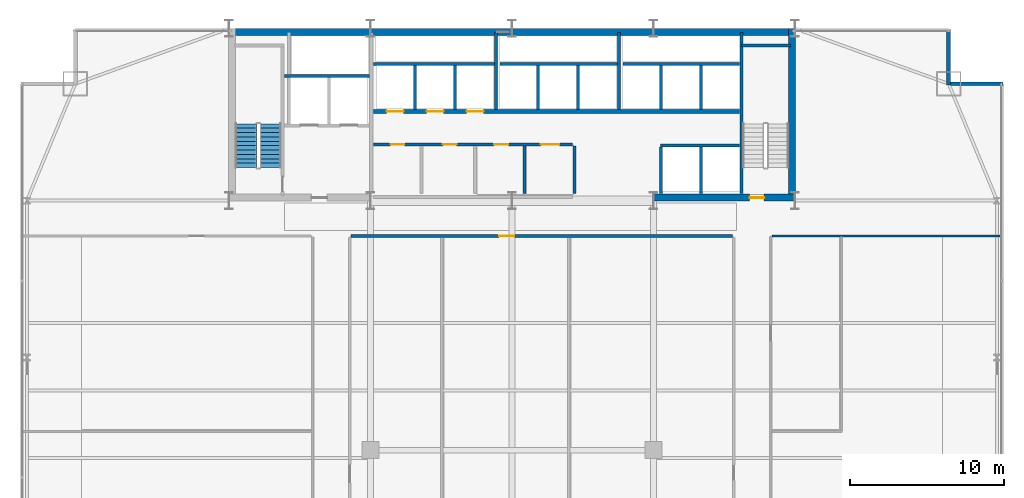
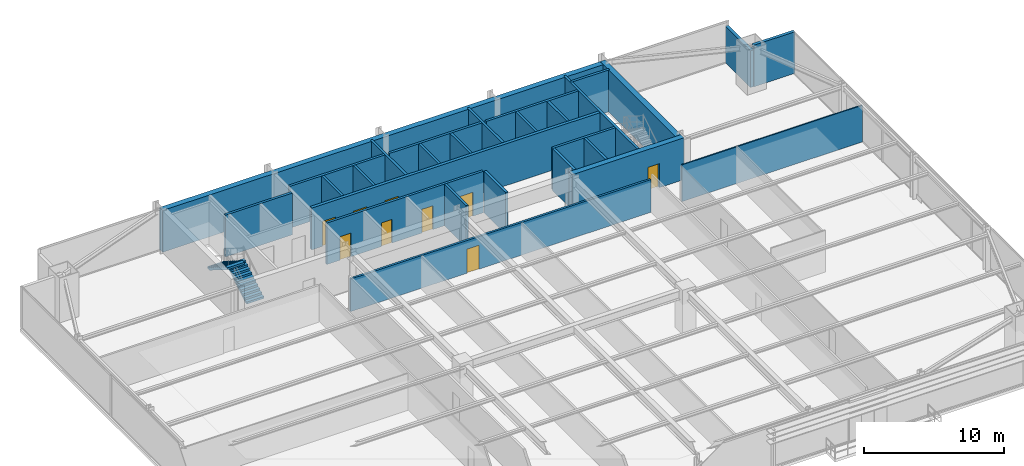
# One storey, part 28 of 31: 28 walls, 9 doors, 2 stair flights, 9 openings, 1 element without a shape of its own.
"""IFC4 building model written with IfcOpenShell, lengths in metres."""

from ifc_helpers import new_model, si_unit, direction, frame, frame_2d, origin, place, context, subcontext, project, spatial, polyline, rectangle, outline, extrude, source, transform, mapped, material, layer, layer_set, type_object, type_shapes, element, fill, aggregate, save


model = new_model("IFC4")

# Units and contexts
model_context = context("Model", 3, precision=1e-05, world=origin(), true_north=direction((0.0, 1.0)))
body_context = subcontext(model_context, "Body", "Model", "MODEL_VIEW")
ifc_project = project(units=[si_unit("LENGTHUNIT", "METRE"), si_unit("AREAUNIT", "SQUARE_METRE"), si_unit("VOLUMEUNIT", "CUBIC_METRE"), si_unit("PLANEANGLEUNIT", "RADIAN"), si_unit("MASSUNIT", "GRAM", prefix="KILO")], contexts=[model_context])

# Site, building, storey
site_placement = place(None, origin())
site = spatial("IfcSite", under=ifc_project, at=site_placement, CompositionType="ELEMENT")
building_placement = place(site_placement, origin())
building = spatial("IfcBuilding", under=site, at=building_placement, Name="Varnel Quay Broadcast Tower", CompositionType="ELEMENT")
storey_placement = place(building_placement, frame((0.0, 0.0, 35.39990234375)))
storey = spatial("IfcBuildingStorey", under=building, at=storey_placement, Name="L07", CompositionType="ELEMENT", Elevation=35.39990234375)

# Walls
ifc_material_1 = material(Name="Concrete CSA A23.3 C50/60", Category="concrete")
ifc_layer_1 = layer(ifc_material_1, 0.199951171875, Name="Concrete CSA A23.3 C50/60")
ifc_layer_set_1 = layer_set([ifc_layer_1], Name="Concrete CSA A23.3 C50/60")
wall_type_1 = type_object("IfcWallType", Name="Wall_CoreShaftShear200", PredefinedType="SHEAR", material=ifc_layer_set_1)
wall_1_placement = place(storey_placement, frame((19.199951171875, 43.699951171875, 0.0), z_axis=(0.0, 0.0, 1.0), x_axis=(1.0, 0.0, 0.0)))
element("IfcWall", 1, at=wall_1_placement, inside=storey, type_object=wall_type_1, Name="L07 Firefighter Lift Shaft Rear Wall", PredefinedType="SHEAR", context=body_context, shape_type="SweptSolid", body=[
    extrude(rectangle(XDim=5.52001953125, YDim=0.199951171875, at=frame_2d((2.760009765625, 0.0))), origin(), (0.0, 0.0, 1.0), 3.650146484375),
])
wall_2_placement = place(storey_placement, frame((48.919921875, 36.050048828125, 0.0), z_axis=(0.0, 0.0, 1.0), x_axis=(0.0, 1.0, 0.0)))
element("IfcWall", 2, at=wall_2_placement, inside=storey, type_object=wall_type_1, Name="L07 Stair 2 West Structural Wall", PredefinedType="SHEAR", context=body_context, shape_type="SweptSolid", body=[
    extrude(rectangle(XDim=10.5, YDim=0.199951171875, at=frame_2d((5.25, 0.0))), origin(), (0.0, 0.0, 1.0), 3.650146484375),
])
wall_3_placement = place(storey_placement, frame((48.919921875, 45.679931640625, 0.0), z_axis=(0.0, 0.0, 1.0), x_axis=(1.0, 0.0, 0.0)))
element("IfcWall", 3, at=wall_3_placement, inside=storey, type_object=wall_type_1, Name="L07 Stair 2 North Structural Wall", PredefinedType="SHEAR", context=body_context, shape_type="SweptSolid", body=[
    extrude(rectangle(XDim=3.18017578125, YDim=0.199951171875, at=frame_2d((1.590087890625, 0.0))), origin(), (0.0, 0.0, 1.0), 3.650146484375),
])
wall_4_placement = place(storey_placement, frame((24.97998046875, 44.5, 0.0), z_axis=(0.0, 0.0, 1.0), x_axis=(1.0, 0.0, 0.0)))
element("IfcWall", 4, at=wall_4_placement, inside=storey, type_object=wall_type_1, Name="L07 Low-Rise Lift Shaft Rear Wall", PredefinedType="SHEAR", context=body_context, shape_type="SweptSolid", body=[
    extrude(rectangle(XDim=7.8701171875, YDim=0.199951171875, at=frame_2d((3.93505859375, 0.0))), origin(), (0.0, 0.0, 1.0), 3.650146484375),
])
for number, where, z_axis, x_axis, name in (
    (5, (27.699951171875, 41.530029296875, 0.0), (0.0, 0.0, 1.0), (0.0, 1.0, 0.0), "L07 Low-Rise Lift Shaft Divider 1"),
    (6, (30.300048828125, 41.530029296875, 0.0), (0.0, 0.0, 1.0), (0.0, 1.0, 0.0), "L07 Low-Rise Lift Shaft Divider 2"),
):
    element("IfcWall", number, at=place(storey_placement, frame(where, z_axis=z_axis, x_axis=x_axis)), inside=storey, type_object=wall_type_1, Name=name, PredefinedType="SHEAR", context=body_context, shape_type="SweptSolid", body=[
        extrude(rectangle(XDim=2.869873046875, YDim=0.199951171875, at=frame_2d((1.43505859375, 0.0))), origin(), (0.0, 0.0, 1.0), 3.650146484375),
    ])
wall_5_placement = place(storey_placement, frame((32.949951171875, 41.530029296875, 0.0), z_axis=(0.0, 0.0, 1.0), x_axis=(0.0, 1.0, 0.0)))
element("IfcWall", 7, at=wall_5_placement, inside=storey, type_object=wall_type_1, Name="L07 Low-Rise Lift Shaft Divider 3", PredefinedType="SHEAR", context=body_context, shape_type="SweptSolid", body=[
    extrude(rectangle(XDim=5.02001953125, YDim=0.199951171875, at=frame_2d((2.510009765625, 0.0))), origin(), (0.0, 0.0, 1.0), 3.650146484375),
])
wall_6_placement = place(storey_placement, frame((33.219970703125, 44.5, 0.0), z_axis=(0.0, 0.0, 1.0), x_axis=(1.0, 0.0, 0.0)))
element("IfcWall", 8, at=wall_6_placement, inside=storey, type_object=wall_type_1, Name="L07 Mid-Rise Lift Shaft Rear Wall", PredefinedType="SHEAR", context=body_context, shape_type="SweptSolid", body=[
    extrude(rectangle(XDim=7.630126953125, YDim=0.199951171875, at=frame_2d((3.81494140625, 0.0))), origin(), (0.0, 0.0, 1.0), 3.650146484375),
])
for number, where, z_axis, x_axis, name in (
    (9, (35.699951171875, 41.530029296875, 0.0), (0.0, 0.0, 1.0), (0.0, 1.0, 0.0), "L07 Mid-Rise Lift Shaft Divider 2"),
    (10, (38.300048828125, 41.530029296875, 0.0), (0.0, 0.0, 1.0), (0.0, 1.0, 0.0), "L07 Mid-Rise Lift Shaft Divider 3"),
):
    element("IfcWall", number, at=place(storey_placement, frame(where, z_axis=z_axis, x_axis=x_axis)), inside=storey, type_object=wall_type_1, Name=name, PredefinedType="SHEAR", context=body_context, shape_type="SweptSolid", body=[
        extrude(rectangle(XDim=2.869873046875, YDim=0.199951171875, at=frame_2d((1.43505859375, 0.0))), origin(), (0.0, 0.0, 1.0), 3.650146484375),
    ])
wall_7_placement = place(storey_placement, frame((40.949951171875, 41.530029296875, 0.0), z_axis=(0.0, 0.0, 1.0), x_axis=(0.0, 1.0, 0.0)))
element("IfcWall", 11, at=wall_7_placement, inside=storey, type_object=wall_type_1, Name="L07 Mid-Rise Lift Shaft Divider 4", PredefinedType="SHEAR", context=body_context, shape_type="SweptSolid", body=[
    extrude(rectangle(XDim=5.02001953125, YDim=0.199951171875, at=frame_2d((2.510009765625, 0.0))), origin(), (0.0, 0.0, 1.0), 3.650146484375),
])
wall_8_placement = place(storey_placement, frame((41.219970703125, 44.5, 0.0), z_axis=(0.0, 0.0, 1.0), x_axis=(1.0, 0.0, 0.0)))
element("IfcWall", 12, at=wall_8_placement, inside=storey, type_object=wall_type_1, Name="L07 High-Rise Lift Shaft Rear Wall", PredefinedType="SHEAR", context=body_context, shape_type="SweptSolid", body=[
    extrude(rectangle(XDim=7.580078125, YDim=0.199951171875, at=frame_2d((3.7900390625, 0.0))), origin(), (0.0, 0.0, 1.0), 3.650146484375),
])
for number, where, z_axis, x_axis, name in (
    (13, (43.699951171875, 41.530029296875, 0.0), (0.0, 0.0, 1.0), (0.0, 1.0, 0.0), "L07 High-Rise Lift Shaft Divider 2"),
    (14, (46.300048828125, 41.530029296875, 0.0), (0.0, 0.0, 1.0), (0.0, 1.0, 0.0), "L07 High-Rise Lift Shaft Divider 3"),
):
    element("IfcWall", number, at=place(storey_placement, frame(where, z_axis=z_axis, x_axis=x_axis)), inside=storey, type_object=wall_type_1, Name=name, PredefinedType="SHEAR", context=body_context, shape_type="SweptSolid", body=[
        extrude(rectangle(XDim=2.869873046875, YDim=0.199951171875, at=frame_2d((1.43505859375, 0.0))), origin(), (0.0, 0.0, 1.0), 3.650146484375),
    ])
for number, where, z_axis, x_axis, name in (
    (15, (43.699951171875, 36.050048828125, 0.0), (0.0, 0.0, 1.0), (0.0, 1.0, 0.0), "L07 Express Lift Shaft West Wall"),
    (16, (46.300048828125, 36.050048828125, 0.0), (0.0, 0.0, 1.0), (0.0, 1.0, 0.0), "L07 Express Lift Shaft Divider"),
):
    element("IfcWall", number, at=place(storey_placement, frame(where, z_axis=z_axis, x_axis=x_axis)), inside=storey, type_object=wall_type_1, Name=name, PredefinedType="SHEAR", context=body_context, shape_type="SweptSolid", body=[
        extrude(rectangle(XDim=3.050048828125, YDim=0.199951171875, at=frame_2d((1.52490234375, 0.0))), origin(), (0.0, 0.0, 1.0), 3.650146484375),
    ])
wall_9_placement = place(storey_placement, frame((43.64990234375, 39.199951171875, 0.0), z_axis=(0.0, 0.0, 1.0), x_axis=(1.0, 0.0, 0.0)))
element("IfcWall", 17, at=wall_9_placement, inside=storey, type_object=wall_type_1, Name="L07 Express Lift Shaft North Front Wall", PredefinedType="SHEAR", context=body_context, shape_type="SweptSolid", body=[
    extrude(rectangle(XDim=5.150146484375, YDim=0.199951171875, at=frame_2d((2.5751953125, 0.0))), origin(), (0.0, 0.0, 1.0), 3.650146484375),
])

# Wall, openings, doors
ifc_layer_2 = layer(ifc_material_1, 0.25, Name="Concrete CSA A23.3 C50/60")
ifc_layer_set_2 = layer_set([ifc_layer_2], Name="Concrete CSA A23.3 C50/60")
wall_type_2 = type_object("IfcWallType", Name="Wall_CoreShaftShear250", PredefinedType="SHEAR", material=ifc_layer_set_2)
wall_10_placement = place(storey_placement, frame((24.97998046875, 41.39990234375, 0.0), z_axis=(0.0, 0.0, 1.0), x_axis=(1.0, 0.0, 0.0)))
wall_10 = element("IfcWall", 18, at=wall_10_placement, inside=storey, type_object=wall_type_2, Name="L07 North Lift Bank & Reclaimed Suite Wall", PredefinedType="SHEAR", context=body_context, shape_type="SweptSolid", body=[
    extrude(rectangle(XDim=23.820068359375, YDim=0.25, at=frame_2d((11.91015625, 0.0))), origin(), (0.0, 0.0, 1.0), 3.650146484375),
])
opening_1_placement = place(wall_10_placement, frame((0.8701171875, 0.0, 0.0)))
opening_1 = element("IfcOpeningElement", 19, at=opening_1_placement, cuts=wall_10, Name="Opening LD-L07-PL-01", PredefinedType="OPENING", context=body_context, shape_type="SweptSolid", body=[
    extrude(rectangle(XDim=1.10009765625, YDim=2.179931640625, at=frame_2d((0.550048828125, 1.08984375))), frame((0.0, 0.135009765625, 0.0), z_axis=(0.0, -1.0, 0.0), x_axis=(1.0, 0.0, 0.0)), (0.0, 0.0, 1.0), 0.27001953125),
])
opening_2_placement = place(wall_10_placement, frame((3.469970703125, 0.0, 0.0)))
opening_2 = element("IfcOpeningElement", 20, at=opening_2_placement, cuts=wall_10, Name="Opening LD-L07-PL-02", PredefinedType="OPENING", context=body_context, shape_type="SweptSolid", body=[
    extrude(rectangle(XDim=1.10009765625, YDim=2.179931640625, at=frame_2d((0.550048828125, 1.08984375))), frame((0.0, 0.135009765625, 0.0), z_axis=(0.0, -1.0, 0.0), x_axis=(1.0, 0.0, 0.0)), (0.0, 0.0, 1.0), 0.27001953125),
])
opening_3_placement = place(wall_10_placement, frame((6.070068359375, 0.0, 0.0)))
opening_3 = element("IfcOpeningElement", 21, at=opening_3_placement, cuts=wall_10, Name="Opening LD-L07-PL-03", PredefinedType="OPENING", context=body_context, shape_type="SweptSolid", body=[
    extrude(rectangle(XDim=1.10009765625, YDim=2.179931640625, at=frame_2d((0.550048828125, 1.08984375))), frame((0.0, 0.135009765625, 0.0), z_axis=(0.0, -1.0, 0.0), x_axis=(1.0, 0.0, 0.0)), (0.0, 0.0, 1.0), 0.27001953125),
])
ifc_material_2 = material(Name="Brushed Bronze-Stainless Lift Car & Sliding Doors", Category="steel")
door_type_1 = type_object("IfcDoorType", Name="Door_LiftLanding1100", OperationType="SLIDING_TO_LEFT", PredefinedType="DOOR", material=ifc_material_2)
shared_shape_1 = source(origin(), body_context, "Body", "SweptSolid", [
    extrude(rectangle(XDim=1.10009765625, YDim=2.179931640625, at=frame_2d((0.550048828125, 1.08984375))), frame((0.0, 0.02490234375, 0.0), z_axis=(0.0, -1.0, 0.0), x_axis=(1.0, 0.0, 0.0)), (0.0, 0.0, 1.0), 0.050048828125),
])
type_shapes(door_type_1, [shared_shape_1])
door_1_placement = place(opening_1_placement, frame((1.10009765625, 0.0, 0.0), z_axis=(0.0, 0.0, 1.0), x_axis=(-1.0, 0.0, 0.0)))
door_1 = element("IfcDoor", 22, at=door_1_placement, inside=storey, type_object=door_type_1, Name="L07 Lift PL-01 Landing Door", OperationType="SLIDING_TO_LEFT", OverallHeight=2.179931640625, OverallWidth=1.10009765625, PredefinedType="DOOR", context=body_context, shape_type="MappedRepresentation", body=[
    mapped(shared_shape_1, transform((0.0, 0.0, 0.0), x_axis=(1.0, 0.0, 0.0), y_axis=(0.0, 1.0, 0.0), z_axis=(0.0, 0.0, 1.0), scale=1.0)),
])
fill(opening_1, door_1)
door_2_placement = place(opening_2_placement, frame((1.10009765625, 0.0, 0.0), z_axis=(0.0, 0.0, 1.0), x_axis=(-1.0, 0.0, 0.0)))
door_2 = element("IfcDoor", 23, at=door_2_placement, inside=storey, type_object=door_type_1, Name="L07 Lift PL-02 Landing Door", OperationType="SLIDING_TO_LEFT", OverallHeight=2.179931640625, OverallWidth=1.10009765625, PredefinedType="DOOR", context=body_context, shape_type="MappedRepresentation", body=[
    mapped(shared_shape_1, transform((0.0, 0.0, 0.0), x_axis=(1.0, 0.0, 0.0), y_axis=(0.0, 1.0, 0.0), z_axis=(0.0, 0.0, 1.0), scale=1.0)),
])
fill(opening_2, door_2)
door_3_placement = place(opening_3_placement, frame((1.10009765625, 0.0, 0.0), z_axis=(0.0, 0.0, 1.0), x_axis=(-1.0, 0.0, 0.0)))
door_3 = element("IfcDoor", 24, at=door_3_placement, inside=storey, type_object=door_type_1, Name="L07 Lift PL-03 Landing Door", OperationType="SLIDING_TO_LEFT", OverallHeight=2.179931640625, OverallWidth=1.10009765625, PredefinedType="DOOR", context=body_context, shape_type="MappedRepresentation", body=[
    mapped(shared_shape_1, transform((0.0, 0.0, 0.0), x_axis=(1.0, 0.0, 0.0), y_axis=(0.0, 1.0, 0.0), z_axis=(0.0, 0.0, 1.0), scale=1.0)),
])
fill(opening_3, door_3)

# Walls
ifc_material_3 = material(Name="Concrete CSA A23.3 C60/75", Category="concrete")
ifc_layer_3 = layer(ifc_material_3, 0.449951171875, Name="Concrete CSA A23.3 C60/75")
ifc_layer_set_3 = layer_set([ifc_layer_3], Name="Concrete CSA A23.3 C60/75")
wall_type_3 = type_object("IfcWallType", Name="Wall_CoreShearExt450", PredefinedType="SHEAR", material=ifc_layer_set_3)
wall_11_placement = place(storey_placement, frame((15.60009765625, 46.574951171875, 0.0), z_axis=(0.0, 0.0, 1.0), x_axis=(1.0, 0.0, 0.0)))
element("IfcWall", 25, at=wall_11_placement, inside=storey, type_object=wall_type_3, Name="L07 North Core Shear Wall", PredefinedType="SHEAR", context=body_context, shape_type="SweptSolid", body=[
    extrude(rectangle(XDim=36.7998046875, YDim=0.449951171875, at=frame_2d((18.39990234375, 0.0))), origin(), (0.0, 0.0, 1.0), 3.650146484375),
])
ifc_layer_4 = layer(ifc_material_3, 0.449951171875, Name="Concrete CSA A23.3 C60/75")
ifc_layer_set_4 = layer_set([ifc_layer_4], Name="Concrete CSA A23.3 C60/75")
wall_type_4 = type_object("IfcWallType", Name="Wall_CoreShearInt450", PredefinedType="SHEAR", material=ifc_layer_set_4)
wall_12_placement = place(storey_placement, frame((52.205078125, 35.570068359375, 0.0), z_axis=(0.0, 0.0, 1.0), x_axis=(0.0, 1.0, 0.0)))
element("IfcWall", 26, at=wall_12_placement, inside=storey, type_object=wall_type_4, Name="L07 East Core Shear Wall", PredefinedType="SHEAR", context=body_context, shape_type="SweptSolid", body=[
    extrude(rectangle(XDim=11.22998046875, YDim=0.449951171875, at=frame_2d((5.614990234375, 0.0))), origin(), (0.0, 0.0, 1.0), 3.650146484375),
])

# Wall, opening, door
wall_13_placement = place(storey_placement, frame((43.199951171875, 35.794921875, 0.0), z_axis=(0.0, 0.0, 1.0), x_axis=(1.0, 0.0, 0.0)))
wall_13 = element("IfcWall", 27, at=wall_13_placement, inside=storey, type_object=wall_type_4, Name="L07 South-East Core Shear Wall", PredefinedType="SHEAR", context=body_context, shape_type="SweptSolid", body=[
    extrude(rectangle(XDim=9.22998046875, YDim=0.449951171875, at=frame_2d((4.614990234375, 0.0))), origin(), (0.0, 0.0, 1.0), 3.650146484375),
])
opening_4_placement = place(wall_13_placement, frame((6.25, 0.0, 0.0)))
opening_4 = element("IfcOpeningElement", 28, at=opening_4_placement, cuts=wall_13, Name="Opening D-L07-S2", PredefinedType="OPENING", context=body_context, shape_type="SweptSolid", body=[
    extrude(rectangle(XDim=0.949951171875, YDim=2.10009765625, at=frame_2d((0.47509765625, 1.050048828125))), frame((0.0, 0.23486328125, 0.0), z_axis=(0.0, -1.0, 0.0), x_axis=(1.0, 0.0, 0.0)), (0.0, 0.0, 1.0), 0.469970703125),
])
ifc_material_4 = material(Name="Insulated Fire-Rated Hollow Steel Door", Category="steel")
door_type_2 = type_object("IfcDoorType", Name="Door_FireStair950", OperationType="NOTDEFINED", PredefinedType="DOOR", material=ifc_material_4)
shared_shape_2 = source(origin(), body_context, "Body", "SweptSolid", [
    extrude(rectangle(XDim=0.949951171875, YDim=2.10009765625, at=frame_2d((0.47509765625, 1.050048828125))), frame((0.0, 0.02490234375, 0.0), z_axis=(0.0, -1.0, 0.0), x_axis=(1.0, 0.0, 0.0)), (0.0, 0.0, 1.0), 0.050048828125),
])
type_shapes(door_type_2, [shared_shape_2])
door_4_placement = place(opening_4_placement, origin())
door_4 = element("IfcDoor", 29, at=door_4_placement, inside=storey, type_object=door_type_2, Name="L07 Stair 2 Fire Door", OperationType="SINGLE_SWING_RIGHT", OverallHeight=2.10009765625, OverallWidth=0.949951171875, PredefinedType="DOOR", context=body_context, shape_type="MappedRepresentation", body=[
    mapped(shared_shape_2, transform((0.0, 0.0, 0.0), x_axis=(1.0, 0.0, 0.0), y_axis=(0.0, 1.0, 0.0), z_axis=(0.0, 0.0, 1.0), scale=1.0)),
])
fill(opening_4, door_4)

# Walls
ifc_material_5 = material(Name="Precast Architectural Concrete C40/50", Category="concrete")
ifc_layer_5 = layer(ifc_material_5, 0.25, Name="Precast Architectural Concrete C40/50")
ifc_layer_set_5 = layer_set([ifc_layer_5], Name="Precast Architectural Concrete C40/50")
wall_type_5 = type_object("IfcWallType", Name="Wall_ExtTerrace250", PredefinedType="SOLIDWALL", material=ifc_layer_set_5)
wall_14_placement = place(storey_placement, frame((62.530029296875, 43.199951171875, 0.0), z_axis=(0.0, 0.0, 1.0), x_axis=(1.0, 0.0, 0.0)))
element("IfcWall", 30, at=wall_14_placement, inside=storey, type_object=wall_type_5, Name="L07 Mega-Column Notch Cladding Wall NNE1", PredefinedType="SOLIDWALL", context=body_context, shape_type="SweptSolid", body=[
    extrude(rectangle(XDim=3.389892578125, YDim=0.25, at=frame_2d((1.69482421875, 0.0))), origin(), (0.0, 0.0, 1.0), 3.630126953125),
])
wall_15_placement = place(storey_placement, frame((62.39990234375, 43.1201171875, 0.0), z_axis=(0.0, 0.0, 1.0), x_axis=(0.0, 1.0, 0.0)))
element("IfcWall", 31, at=wall_15_placement, inside=storey, type_object=wall_type_5, Name="L07 Mega-Column Notch Cladding Wall NNE2", PredefinedType="SOLIDWALL", context=body_context, shape_type="SweptSolid", body=[
    extrude(rectangle(XDim=3.599853515625, YDim=0.25, at=frame_2d((1.7998046875, 0.0))), origin(), (0.0, 0.0, 1.0), 3.2080078125),
])

# Wall, openings, doors
ifc_material_6 = material(Name="Concrete Blockwork Fire Enclosure C40/50", Category="masonry")
ifc_layer_6 = layer(ifc_material_6, 0.199951171875, Name="Concrete Blockwork Fire Enclosure C40/50")
ifc_layer_set_6 = layer_set([ifc_layer_6], Name="Concrete Blockwork Fire Enclosure C40/50")
wall_type_6 = type_object("IfcWallType", Name="Wall_FireShaft200", PredefinedType="SOLIDWALL", material=ifc_layer_set_6)
wall_16_placement = place(storey_placement, frame((25.0, 39.25, 0.0), z_axis=(0.0, 0.0, 1.0), x_axis=(1.0, 0.0, 0.0)))
wall_16 = element("IfcWall", 32, at=wall_16_placement, inside=storey, type_object=wall_type_6, Name="L07 Accessible Universal Washroom Partition 3", PredefinedType="SOLIDWALL", context=body_context, shape_type="SweptSolid", body=[
    extrude(rectangle(XDim=12.949951171875, YDim=0.199951171875, at=frame_2d((6.47509765625, 0.0))), origin(), (0.0, 0.0, 1.0), 3.630126953125),
])
opening_5_placement = place(wall_16_placement, frame((1.10009765625, 0.0, 0.0)))
opening_5 = element("IfcOpeningElement", 33, at=opening_5_placement, cuts=wall_16, Name="Opening D-L07-01", PredefinedType="OPENING", context=body_context, shape_type="SweptSolid", body=[
    extrude(rectangle(XDim=0.89990234375, YDim=2.06005859375, at=frame_2d((0.449951171875, 1.030029296875))), frame((0.0, 0.10986328125, 0.0), z_axis=(0.0, -1.0, 0.0), x_axis=(1.0, 0.0, 0.0)), (0.0, 0.0, 1.0), 0.219970703125),
])
opening_6_placement = place(wall_16_placement, frame((4.5, 0.0, 0.0)))
opening_6 = element("IfcOpeningElement", 34, at=opening_6_placement, cuts=wall_16, Name="Opening D-L07-02", PredefinedType="OPENING", context=body_context, shape_type="SweptSolid", body=[
    extrude(rectangle(XDim=0.89990234375, YDim=2.06005859375, at=frame_2d((0.449951171875, 1.030029296875))), frame((0.0, 0.10986328125, 0.0), z_axis=(0.0, -1.0, 0.0), x_axis=(1.0, 0.0, 0.0)), (0.0, 0.0, 1.0), 0.219970703125),
])
opening_7_placement = place(wall_16_placement, frame((7.840087890625, 0.0, 0.0)))
opening_7 = element("IfcOpeningElement", 35, at=opening_7_placement, cuts=wall_16, Name="Opening D-L07-03", PredefinedType="OPENING", context=body_context, shape_type="SweptSolid", body=[
    extrude(rectangle(XDim=0.919921875, YDim=2.080078125, at=frame_2d((0.4599609375, 1.0400390625))), frame((0.0, 0.10986328125, 0.0), z_axis=(0.0, -1.0, 0.0), x_axis=(1.0, 0.0, 0.0)), (0.0, 0.0, 1.0), 0.219970703125),
])
opening_8_placement = place(wall_16_placement, frame((10.875, 0.0, 0.0)))
opening_8 = element("IfcOpeningElement", 36, at=opening_8_placement, cuts=wall_16, Name="Opening D-L07-04", PredefinedType="OPENING", context=body_context, shape_type="SweptSolid", body=[
    extrude(rectangle(XDim=1.199951171875, YDim=2.10009765625, at=frame_2d((0.60009765625, 1.050048828125))), frame((0.0, 0.10986328125, 0.0), z_axis=(0.0, -1.0, 0.0), x_axis=(1.0, 0.0, 0.0)), (0.0, 0.0, 1.0), 0.219970703125),
])
ifc_material_7 = material(Name="Solid-Core Fire-Rated Acoustic Oak Veneer Door", Category="wood")
door_type_3 = type_object("IfcDoorType", Name="Door_Washroom900", OperationType="NOTDEFINED", PredefinedType="DOOR", material=ifc_material_7)
shared_shape_3 = source(origin(), body_context, "Body", "SweptSolid", [
    extrude(rectangle(XDim=0.89990234375, YDim=2.06005859375, at=frame_2d((0.449951171875, 1.030029296875))), frame((0.0, 0.02490234375, 0.0), z_axis=(0.0, -1.0, 0.0), x_axis=(1.0, 0.0, 0.0)), (0.0, 0.0, 1.0), 0.050048828125),
])
type_shapes(door_type_3, [shared_shape_3])
door_5_placement = place(opening_5_placement, frame((0.89990234375, 0.0, 0.0), z_axis=(0.0, 0.0, 1.0), x_axis=(-1.0, 0.0, 0.0)))
door_5 = element("IfcDoor", 37, at=door_5_placement, inside=storey, type_object=door_type_3, Name="L07 Accessible Universal Washroom Door D-L07-01", OperationType="SINGLE_SWING_LEFT", OverallHeight=2.06005859375, OverallWidth=0.89990234375, PredefinedType="DOOR", context=body_context, shape_type="MappedRepresentation", body=[
    mapped(shared_shape_3, transform((0.0, 0.0, 0.0), x_axis=(1.0, 0.0, 0.0), y_axis=(0.0, 1.0, 0.0), z_axis=(0.0, 0.0, 1.0), scale=1.0)),
])
fill(opening_5, door_5)
door_6_placement = place(opening_6_placement, frame((0.89990234375, 0.0, 0.0), z_axis=(0.0, 0.0, 1.0), x_axis=(-1.0, 0.0, 0.0)))
door_6 = element("IfcDoor", 38, at=door_6_placement, inside=storey, type_object=door_type_3, Name="L07 Staff Washroom Block Door D-L07-02", OperationType="SINGLE_SWING_RIGHT", OverallHeight=2.06005859375, OverallWidth=0.89990234375, PredefinedType="DOOR", context=body_context, shape_type="MappedRepresentation", body=[
    mapped(shared_shape_3, transform((0.0, 0.0, 0.0), x_axis=(1.0, 0.0, 0.0), y_axis=(0.0, 1.0, 0.0), z_axis=(0.0, 0.0, 1.0), scale=1.0)),
])
fill(opening_6, door_6)
door_type_4 = type_object("IfcDoorType", Name="Door_Plant1200", OperationType="NOTDEFINED", PredefinedType="DOOR", material=ifc_material_4)
shared_shape_4 = source(origin(), body_context, "Body", "SweptSolid", [
    extrude(rectangle(XDim=1.199951171875, YDim=2.10009765625, at=frame_2d((0.60009765625, 1.050048828125))), frame((0.0, 0.02490234375, 0.0), z_axis=(0.0, -1.0, 0.0), x_axis=(1.0, 0.0, 0.0)), (0.0, 0.0, 1.0), 0.050048828125),
])
type_shapes(door_type_4, [shared_shape_4])
door_7_placement = place(opening_8_placement, origin())
door_7 = element("IfcDoor", 39, at=door_7_placement, inside=storey, type_object=door_type_4, Name="L07 Zone Lighting Dimmer Room Door D-L07-04", OperationType="SINGLE_SWING_RIGHT", OverallHeight=2.10009765625, OverallWidth=1.199951171875, PredefinedType="DOOR", context=body_context, shape_type="MappedRepresentation", body=[
    mapped(shared_shape_4, transform((0.0, 0.0, 0.0), x_axis=(1.0, 0.0, 0.0), y_axis=(0.0, 1.0, 0.0), z_axis=(0.0, 0.0, 1.0), scale=1.0)),
])
fill(opening_8, door_7)
door_type_5 = type_object("IfcDoorType", Name="Door_Office920", OperationType="NOTDEFINED", PredefinedType="DOOR", material=ifc_material_7)
shared_shape_5 = source(origin(), body_context, "Body", "SweptSolid", [
    extrude(rectangle(XDim=0.919921875, YDim=2.080078125, at=frame_2d((0.4599609375, 1.0400390625))), frame((0.0, 0.02490234375, 0.0), z_axis=(0.0, -1.0, 0.0), x_axis=(1.0, 0.0, 0.0)), (0.0, 0.0, 1.0), 0.050048828125),
])
type_shapes(door_type_5, [shared_shape_5])
door_8_placement = place(opening_7_placement, frame((0.919921875, 0.0, 0.0), z_axis=(0.0, 0.0, 1.0), x_axis=(-1.0, 0.0, 0.0)))
door_8 = element("IfcDoor", 40, at=door_8_placement, inside=storey, type_object=door_type_5, Name="L07 Broadcast First-Aid & Quiet Room Door D-L07-03", OperationType="SINGLE_SWING_LEFT", OverallHeight=2.080078125, OverallWidth=0.919921875, PredefinedType="DOOR", context=body_context, shape_type="MappedRepresentation", body=[
    mapped(shared_shape_5, transform((0.0, 0.0, 0.0), x_axis=(1.0, 0.0, 0.0), y_axis=(0.0, 1.0, 0.0), z_axis=(0.0, 0.0, 1.0), scale=1.0)),
])
fill(opening_7, door_8)

# Walls
for number, where, z_axis, x_axis, name in (
    (41, (34.800048828125, 36.050048828125, 0.0), (0.0, 0.0, 1.0), (0.0, 1.0, 0.0), "L07 Broadcast First-Aid & Quiet Room Partition 5"),
    (42, (38.074951171875, 36.050048828125, 0.0), (0.0, 0.0, 1.0), (0.0, 1.0, 0.0), "L07 Zone Lighting Dimmer Room Partition 6"),
):
    element("IfcWall", number, at=place(storey_placement, frame(where, z_axis=z_axis, x_axis=x_axis)), inside=storey, type_object=wall_type_6, Name=name, PredefinedType="SOLIDWALL", context=body_context, shape_type="SweptSolid", body=[
        extrude(rectangle(XDim=3.099853515625, YDim=0.199951171875, at=frame_2d((1.5498046875, 0.0))), origin(), (0.0, 0.0, 1.0), 3.630126953125),
    ])
ifc_material_8 = material(Name="Steel-Stud Fire-Rated Acoustic Gypsum Partition Assembly", Category="steel")
ifc_layer_7 = layer(ifc_material_8, 0.10498046875, Name="Steel-Stud Fire-Rated Acoustic Gypsum Partition Assembly")
ifc_layer_set_7 = layer_set([ifc_layer_7], Name="Steel-Stud Fire-Rated Acoustic Gypsum Partition Assembly")
wall_type_7 = type_object("IfcWallType", Name="Wall_Partition105", PredefinedType="PARTITIONING", material=ifc_layer_set_7)
wall_17_placement = place(storey_placement, frame((50.929931640625, 33.300048828125, 0.0), z_axis=(0.0, 0.0, 1.0), x_axis=(1.0, 0.0, 0.0)))
element("IfcWall", 43, at=wall_17_placement, inside=storey, type_object=wall_type_7, Name="L07 Lens & Rigging Store 6 Partition 15", PredefinedType="PARTITIONING", context=body_context, shape_type="SweptSolid", body=[
    extrude(rectangle(XDim=14.89013671875, YDim=0.10498046875, at=frame_2d((7.445068359375, 0.0))), origin(), (0.0, 0.0, 1.0), 3.2080078125),
])

# Wall, opening, door
ifc_layer_8 = layer(ifc_material_8, 0.175048828125, Name="Steel-Stud Fire-Rated Acoustic Gypsum Partition Assembly")
ifc_layer_set_8 = layer_set([ifc_layer_8], Name="Steel-Stud Fire-Rated Acoustic Gypsum Partition Assembly")
wall_type_8 = type_object("IfcWallType", Name="Wall_Partition175", PredefinedType="PARTITIONING", material=ifc_layer_set_8)
wall_18_placement = place(storey_placement, frame((23.5400390625, 33.300048828125, 0.0), z_axis=(0.0, 0.0, 1.0), x_axis=(1.0, 0.0, 0.0)))
wall_18 = element("IfcWall", 44, at=wall_18_placement, inside=storey, type_object=wall_type_8, Name="L07 Screening Meeting Room 3 Partition 11", PredefinedType="PARTITIONING", context=body_context, shape_type="SweptSolid", body=[
    extrude(rectangle(XDim=24.7900390625, YDim=0.175048828125, at=frame_2d((12.39501953125, 0.0))), origin(), (0.0, 0.0, 1.0), 2.85205078125),
])
opening_9_placement = place(wall_18_placement, frame((9.6201171875, 0.0, 0.0)))
opening_9 = element("IfcOpeningElement", 45, at=opening_9_placement, cuts=wall_18, Name="Opening D-L07-08", PredefinedType="OPENING", context=body_context, shape_type="SweptSolid", body=[
    extrude(rectangle(XDim=1.0, YDim=2.10009765625, at=frame_2d((0.5, 1.050048828125))), frame((0.0, 0.09765625, 0.0), z_axis=(0.0, -1.0, 0.0), x_axis=(1.0, 0.0, 0.0)), (0.0, 0.0, 1.0), 0.195068359375),
])
door_type_6 = type_object("IfcDoorType", Name="Door_Exec1000", OperationType="NOTDEFINED", PredefinedType="DOOR", material=ifc_material_7)
shared_shape_6 = source(origin(), body_context, "Body", "SweptSolid", [
    extrude(rectangle(XDim=1.0, YDim=2.10009765625, at=frame_2d((0.5, 1.050048828125))), frame((0.0, 0.02490234375, 0.0), z_axis=(0.0, -1.0, 0.0), x_axis=(1.0, 0.0, 0.0)), (0.0, 0.0, 1.0), 0.050048828125),
])
type_shapes(door_type_6, [shared_shape_6])
door_9_placement = place(opening_9_placement, frame((1.0, 0.0, 0.0), z_axis=(0.0, 0.0, 1.0), x_axis=(-1.0, 0.0, 0.0)))
door_9 = element("IfcDoor", 46, at=door_9_placement, inside=storey, type_object=door_type_6, Name="L07 Producer Lounge 4 Door D-L07-08", OperationType="SINGLE_SWING_RIGHT", OverallHeight=2.10009765625, OverallWidth=1.0, PredefinedType="DOOR", context=body_context, shape_type="MappedRepresentation", body=[
    mapped(shared_shape_6, transform((0.0, 0.0, 0.0), x_axis=(1.0, 0.0, 0.0), y_axis=(0.0, 1.0, 0.0), z_axis=(0.0, 0.0, 1.0), scale=1.0)),
])
fill(opening_9, door_9)

# Stair, stair flights
ifc_material_9 = material(Name="Precast Structural Concrete C40/50", Category="concrete")
stair_type = type_object("IfcStairType", Name="Stair_ST-01", PredefinedType="HALF_TURN_STAIR", material=ifc_material_9)
stair_placement = place(storey_placement, origin())
stair = element("IfcStair", 47, at=stair_placement, inside=storey, type_object=stair_type, Name="L07 West Core Exit Stair 1", PredefinedType="HALF_TURN_STAIR")
stair_flight_type = type_object("IfcStairFlightType", Name="Flight_ST-01", PredefinedType="STRAIGHT", material=ifc_material_9)
stair_flight_1_placement = place(storey_placement, frame((18.300048828125, 37.75, 0.0), z_axis=(0.0, 0.0, 1.0), x_axis=(0.0, 1.0, 0.0)))
stair_flight_1 = element("IfcStairFlight", 48, at=stair_flight_1_placement, type_object=stair_flight_type, Name="ST-01 flight 1", NumberOfRisers=11, NumberOfTreads=10, PredefinedType="STRAIGHT", RiserHeight=0.177272727, TreadLength=0.285, context=body_context, shape_type="SweptSolid", body=[
    extrude(outline(polyline([(0.0, 0.0), (0.0, 0.17724609375), (0.284912109375, 0.17724609375), (0.284912109375, 0.3544921875), (0.570068359375, 0.3544921875), (0.570068359375, 0.53173828125), (0.85498046875, 0.53173828125), (0.85498046875, 0.708984375), (1.139892578125, 0.708984375), (1.139892578125, 0.886474609375), (1.425048828125, 0.886474609375), (1.425048828125, 1.063720703125), (1.7099609375, 1.063720703125), (1.7099609375, 1.240966796875), (1.9951171875, 1.240966796875), (1.9951171875, 1.418212890625), (2.280029296875, 1.418212890625), (2.280029296875, 1.595458984375), (2.56494140625, 1.595458984375), (2.56494140625, 1.772705078125), (2.85009765625, 1.772705078125), (2.85009765625, 1.949951171875), (2.85009765625, 1.59619140625), (0.283935546875, 0.0), (0.0, 0.0)])), frame((0.0, 0.699951171875, 0.0), z_axis=(0.0, -1.0, 0.0), x_axis=(1.0, 0.0, 0.0)), (0.0, 0.0, 1.0), 1.39990234375),
])
stair_flight_2_placement = place(storey_placement, frame((16.699951171875, 40.60009765625, 1.9501953125), z_axis=(0.0, 0.0, 1.0), x_axis=(0.0, -1.0, 0.0)))
stair_flight_2 = element("IfcStairFlight", 49, at=stair_flight_2_placement, type_object=stair_flight_type, Name="ST-01 flight 2", NumberOfRisers=11, NumberOfTreads=10, PredefinedType="STRAIGHT", RiserHeight=0.177272727, TreadLength=0.285, context=body_context, shape_type="SweptSolid", body=[
    extrude(outline(polyline([(0.0, 0.0), (0.0, 0.17724609375), (0.284912109375, 0.17724609375), (0.284912109375, 0.3544921875), (0.570068359375, 0.3544921875), (0.570068359375, 0.53173828125), (0.85498046875, 0.53173828125), (0.85498046875, 0.708984375), (1.139892578125, 0.708984375), (1.139892578125, 0.886474609375), (1.425048828125, 0.886474609375), (1.425048828125, 1.063720703125), (1.7099609375, 1.063720703125), (1.7099609375, 1.240966796875), (1.9951171875, 1.240966796875), (1.9951171875, 1.418212890625), (2.280029296875, 1.418212890625), (2.280029296875, 1.595458984375), (2.56494140625, 1.595458984375), (2.56494140625, 1.772705078125), (2.85009765625, 1.772705078125), (2.85009765625, 1.949951171875), (2.85009765625, 1.59619140625), (0.283935546875, 0.0), (0.0, 0.0)])), frame((0.0, 0.699951171875, 0.0), z_axis=(0.0, -1.0, 0.0), x_axis=(1.0, 0.0, 0.0)), (0.0, 0.0, 1.0), 1.39990234375),
])
aggregate(stair, [stair_flight_1, stair_flight_2])

save(model, "model.ifc")
